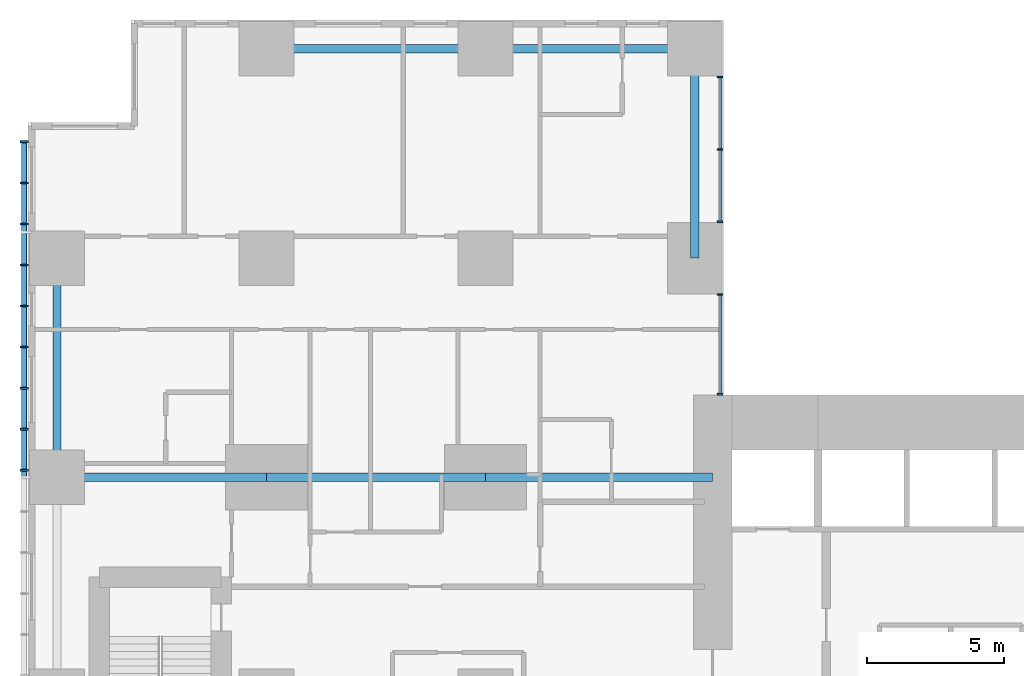
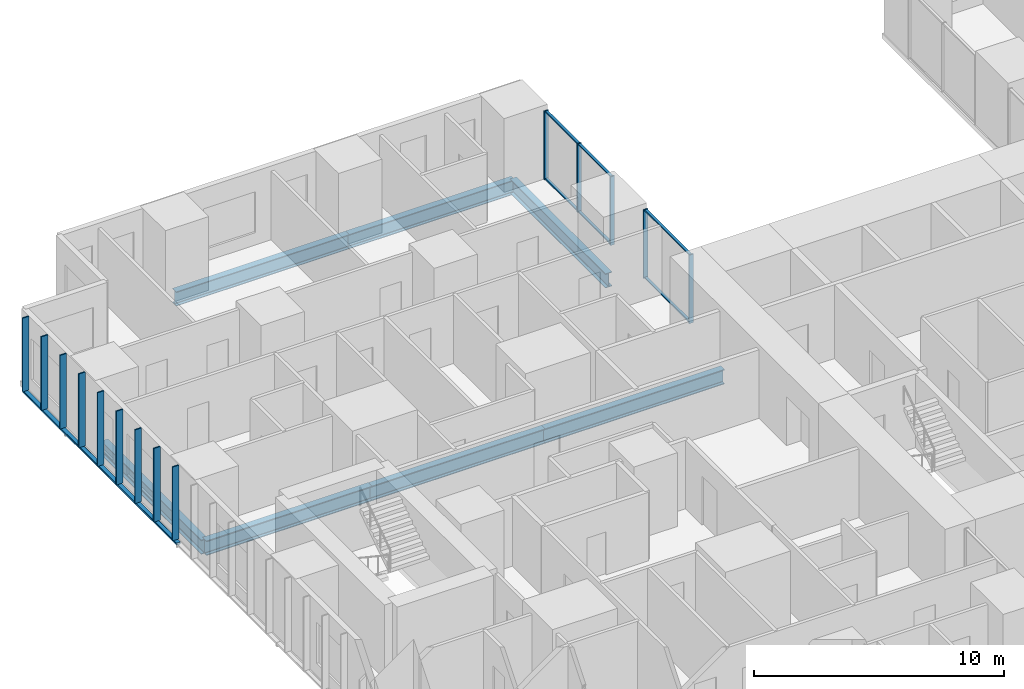
# One storey, part 4 of 20: 21 members, 7 beams, 2 elements without a shape of their own.
"""IFC4 building model written with IfcOpenShell, lengths in metres."""

import ifcopenshell
import ifcopenshell.guid

model = None  # the IFC model being written
_history = None  # IfcOwnerHistory: only IFC2X3 demands one
_inside = {}  # id of a spatial element -> (the spatial element, [elements in it])
_under = {}  # id of a project, library or spatial element -> (it, [spatial elements below it])
_declared = {}  # id of a project -> (the project, [libraries it declares])
_typed = {}  # id of a type object -> (the type object, [elements of that type])
_made_of = {}  # id of a material, layer set ... -> (it, [elements and type objects made of it])


def new_model(schema):
    """Start an empty IFC model of exactly this schema.

    Asked for "IFC4X3", IfcOpenShell would pick the latest addendum, in which some entities
    have other attributes; the version numbers below select the first issue.
    IFC2X3 requires an IfcOwnerHistory on every rooted entity: one is made here for all.
    """
    global model, _history
    if schema == "IFC4X3":
        model = ifcopenshell.file(schema_version=(4, 3, 0, 0))
    else:
        model = ifcopenshell.file(schema=schema)
    _inside.clear()
    _under.clear()
    _declared.clear()
    _typed.clear()
    _made_of.clear()
    _history = None
    if model.schema == "IFC2X3":
        org = make("IfcOrganization", Name="unknown")
        user = make(
            "IfcPersonAndOrganization",
            ThePerson=make("IfcPerson", FamilyName="unknown"),
            TheOrganization=org,
        )
        app = make(
            "IfcApplication",
            ApplicationDeveloper=org,
            Version="unknown",
            ApplicationFullName="unknown",
            ApplicationIdentifier="unknown",
        )
        _history = make(
            "IfcOwnerHistory",
            OwningUser=user,
            OwningApplication=app,
            ChangeAction="ADDED",
            CreationDate=0,
        )
    return model


def make(cls, **values):
    """One entity of the class cls with the attributes given. An attribute that is None is left unset."""
    return model.create_entity(
        cls, **{name: value for name, value in values.items() if value is not None}
    )


def rooted(cls, **values):
    """An entity with a GlobalId (a new one), such as an element, a storey or a relation."""
    return make(cls, GlobalId=ifcopenshell.guid.new(), OwnerHistory=_history, **values)


def si_unit(unit_type, name, prefix=None):
    """IfcSIUnit, for example si_unit("LENGTHUNIT", "METRE", prefix="MILLI")."""
    return make("IfcSIUnit", UnitType=unit_type, Prefix=prefix, Name=name)


def assignment(units):
    """IfcUnitAssignment: the units of a project."""
    return None if units is None else make("IfcUnitAssignment", Units=units)


def point(xyz):
    """IfcCartesianPoint."""
    return None if xyz is None else make("IfcCartesianPoint", Coordinates=xyz)


def direction(xyz):
    """IfcDirection."""
    return None if xyz is None else make("IfcDirection", DirectionRatios=xyz)


def frame(location, z_axis=None, x_axis=None):
    """IfcAxis2Placement3D, a coordinate frame: its origin and axes. An axis left out is left unset."""
    return make(
        "IfcAxis2Placement3D",
        Location=point(location),
        Axis=direction(z_axis),
        RefDirection=direction(x_axis),
    )


def frame_2d(location, x_axis=None):
    """IfcAxis2Placement2D, a coordinate frame in the plane: its origin and x axis."""
    return make(
        "IfcAxis2Placement2D", Location=point(location), RefDirection=direction(x_axis)
    )


def origin():
    """The frame at (0, 0, 0) with its axes left unset."""
    return frame((0.0, 0.0, 0.0))


def origin_2d():
    """The frame at (0, 0) in the plane with its x axis left unset."""
    return frame_2d((0.0, 0.0))


def place(relative_to, where):
    """IfcLocalPlacement: puts the frame where relative to a parent placement (None: the world)."""
    return make(
        "IfcLocalPlacement", PlacementRelTo=relative_to, RelativePlacement=where
    )


def context(
    kind, dimensions, precision=None, world=None, true_north=None, identifier=None
):
    """IfcGeometricRepresentationContext, for example the 3D "Model" context."""
    return make(
        "IfcGeometricRepresentationContext",
        ContextIdentifier=identifier,
        ContextType=kind,
        CoordinateSpaceDimension=dimensions,
        Precision=precision,
        WorldCoordinateSystem=world,
        TrueNorth=true_north,
    )


def subcontext(parent, identifier, kind, view, scale=None):
    """IfcGeometricRepresentationSubContext, for example "Body" below "Model"."""
    return make(
        "IfcGeometricRepresentationSubContext",
        ContextIdentifier=identifier,
        ContextType=kind,
        ParentContext=parent,
        TargetScale=scale,
        TargetView=view,
    )


def project(units=None, contexts=None):
    """IfcProject with its units and contexts."""
    return rooted(
        "IfcProject",
        Name="project",
        RepresentationContexts=contexts,
        UnitsInContext=assignment(units),
    )


def spatial(cls, under=None, at=None, **own):
    """A site, building, storey or space (cls), placed at a placement, below another one or the project."""
    s = rooted(cls, ObjectPlacement=at, **own)
    if under is not None:
        _under.setdefault(under.id(), (under, []))[1].append(s)
    return s


def profile(cls, at=None, kind="AREA", **sizes):
    """A parametric profile (cls). Its sizes go by their IFC names, for example OverallWidth=200.0."""
    return make(cls, ProfileType=kind, Position=at, **sizes)


def rectangle(**sizes):
    """IfcRectangleProfileDef."""
    return profile("IfcRectangleProfileDef", **sizes)


def hollow_rectangle(**sizes):
    """IfcRectangleHollowProfileDef."""
    return profile("IfcRectangleHollowProfileDef", **sizes)


def i_section(**sizes):
    """IfcIShapeProfileDef."""
    return profile("IfcIShapeProfileDef", **sizes)


def extrude(swept, where, along, depth):
    """IfcExtrudedAreaSolid: the profile swept, set in the frame where, extruded along a direction by depth."""
    return make(
        "IfcExtrudedAreaSolid",
        SweptArea=swept,
        Position=where,
        ExtrudedDirection=direction(along),
        Depth=depth,
    )


def shape(context_of_items, identifier, shape_type, items):
    """IfcShapeRepresentation: the items that make up one representation, for example the "Body"."""
    return make(
        "IfcShapeRepresentation",
        ContextOfItems=context_of_items,
        RepresentationIdentifier=identifier,
        RepresentationType=shape_type,
        Items=items,
    )


def material(Name=None, Category=None):
    """IfcMaterial."""
    return make("IfcMaterial", Name=Name, Category=Category)


def layer(
    of_material, thickness, ventilated=None, Name=None, Category=None, Priority=None
):
    """IfcMaterialLayer: one layer of a wall or slab, of a material (None: an air gap)."""
    return make(
        "IfcMaterialLayer",
        Material=of_material,
        LayerThickness=thickness,
        IsVentilated=ventilated,
        Name=Name,
        Category=Category,
        Priority=Priority,
    )


def layer_set(layers, Name=None):
    """IfcMaterialLayerSet."""
    return make("IfcMaterialLayerSet", MaterialLayers=layers, LayerSetName=Name)


def material_profile(
    of_material, cross_section, Name=None, Category=None, Priority=None
):
    """IfcMaterialProfile: a cross section and its material."""
    return make(
        "IfcMaterialProfile",
        Name=Name,
        Material=of_material,
        Profile=cross_section,
        Priority=Priority,
        Category=Category,
    )


def profile_set(profiles, Name=None, composite=None):
    """IfcMaterialProfileSet."""
    return make(
        "IfcMaterialProfileSet",
        Name=Name,
        MaterialProfiles=profiles,
        CompositeProfile=composite,
    )


def made_of(thing, what):
    """Note that an element or type object is made of a material, layer set ...; save() writes the relation."""
    if what is not None:
        _made_of.setdefault(what.id(), (what, []))[1].append(thing)
    return thing


def type_object(cls, material=None, **own):
    """A type object (cls), such as IfcWallType, which elements share."""
    return made_of(rooted(cls, **own), material)


def element(
    cls,
    number,
    at=None,
    inside=None,
    cuts=None,
    type_object=None,
    material=None,
    context=None,
    identifier="Body",
    shape_type=None,
    held_by="IfcProductDefinitionShape",
    body=None,
    shapes=None,
    **own,
):
    """One element of the class cls, such as IfcWall. Its Tag is "e" and its number.

    at: its placement. inside: the storey or other place that contains it. cuts: it is an
    opening in that element (IfcRelVoidsElement). A single representation is given by context,
    identifier, shape_type and body (its items); several are given by shapes. held_by: the class
    of the entity that holds the representations. save() writes the other relations.
    """
    e = rooted(cls, Tag="e%d" % number, ObjectPlacement=at, **own)
    if body is not None:
        shapes = [shape(context, identifier, shape_type, body)]
    if shapes is not None:
        e.Representation = make(held_by, Representations=shapes)
    if inside is not None:
        _inside.setdefault(inside.id(), (inside, []))[1].append(e)
    if cuts is not None:
        rooted(
            "IfcRelVoidsElement", RelatingBuildingElement=cuts, RelatedOpeningElement=e
        )
    if type_object is not None:
        _typed.setdefault(type_object.id(), (type_object, []))[1].append(e)
    return made_of(e, material)


def aggregate(whole, parts):
    """IfcRelAggregates: a whole, such as a stair, and the parts it consists of."""
    return rooted("IfcRelAggregates", RelatingObject=whole, RelatedObjects=parts)


def save(model, path):
    """Write the relations noted so far, then the file.

    IfcRelAggregates (storeys below a building ...), IfcRelContainedInSpatialStructure (elements
    in a storey), IfcRelDefinesByType, IfcRelAssociatesMaterial and IfcRelDeclares: one each for
    every whole, place, type object, material and project.
    """
    for whole, parts in _under.values():
        aggregate(whole, parts)
    for where, things in _inside.values():
        rooted(
            "IfcRelContainedInSpatialStructure",
            RelatedElements=things,
            RelatingStructure=where,
        )
    for kind, things in _typed.values():
        rooted("IfcRelDefinesByType", RelatedObjects=things, RelatingType=kind)
    for what, things in _made_of.values():
        rooted("IfcRelAssociatesMaterial", RelatedObjects=things, RelatingMaterial=what)
    for by, libraries in _declared.values():
        rooted("IfcRelDeclares", RelatingContext=by, RelatedDefinitions=libraries)
    model.write(path)


model = new_model("IFC4")

# Units and contexts
model_context = context("Model", 3, precision=1e-05, world=origin(), true_north=direction((0.0, 1.0)))
body_context = subcontext(model_context, "Body", "Model", "MODEL_VIEW")
ifc_project = project(units=[si_unit("LENGTHUNIT", "METRE"), si_unit("AREAUNIT", "SQUARE_METRE"), si_unit("VOLUMEUNIT", "CUBIC_METRE"), si_unit("PLANEANGLEUNIT", "RADIAN"), si_unit("MASSUNIT", "GRAM", prefix="KILO")], contexts=[model_context])

# Site, building, storey
site_placement = place(None, origin())
site = spatial("IfcSite", under=ifc_project, at=site_placement, CompositionType="ELEMENT")
building_placement = place(site_placement, origin())
building = spatial("IfcBuilding", under=site, at=building_placement, Name="Cleftline Residences", CompositionType="ELEMENT")
storey_placement = place(building_placement, frame((0.0, 0.0, 54.800048828125)))
storey = spatial("IfcBuildingStorey", under=building, at=storey_placement, Name="L13", CompositionType="ELEMENT", Elevation=54.800048828125)

# Member
ifc_material_1 = material(Name="Steel S355, hot-dip galvanised", Category="steel")
ifc_material_profile_1 = material_profile(ifc_material_1, hollow_rectangle(XDim=0.10009765625, YDim=0.199951171875, WallThickness=0.008056640625, InnerFilletRadius=0.008056640625, OuterFilletRadius=0.011962890625, at=origin_2d()))
ifc_profile_set_1 = profile_set([ifc_material_profile_1], Name="Steel S355, hot-dip galvanised")
member_type_1 = type_object("IfcMemberType", Name="BAGUETTE CARRIER RHS 200X100X8", PredefinedType="USERDEFINED", material=ifc_profile_set_1)
member_1_placement = place(storey_placement, frame((-0.85009765625, 44.300048828125, -0.050048828125), z_axis=(0.0, -1.0, 0.0), x_axis=(0.0, 0.0, 1.0)))
element("IfcMember", 1, at=member_1_placement, inside=storey, type_object=member_type_1, Name="Baguette carrier", ObjectType="BAGUETTE CARRIER", PredefinedType="USERDEFINED", context=body_context, shape_type="SweptSolid", body=[
    extrude(hollow_rectangle(XDim=0.10009765625, YDim=0.199951171875, WallThickness=0.008056640625, InnerFilletRadius=0.008056640625, OuterFilletRadius=0.011962890625, at=origin_2d()), origin(), (0.0, 0.0, 1.0), 12.300048828125),
])

# Beams
ifc_material_2 = material(Name="Steel S355", Category="steel")
ifc_material_profile_2 = material_profile(ifc_material_2, i_section(OverallWidth=0.300048828125, OverallDepth=0.699951171875, WebThickness=0.01708984375, FlangeThickness=0.031982421875, FilletRadius=0.027099609375, at=origin_2d()))
ifc_profile_set_2 = profile_set([ifc_material_profile_2], Name="Steel S355")
beam_type_1 = type_object("IfcBeamType", Name="BEAM HEB 700", PredefinedType="BEAM", material=ifc_profile_set_2)
for number, where, z_axis, x_axis, name in (
    (2, (0.35009765625, 32.0, -0.60009765625), (0.0, 1.0, 0.0), (-1.0, 0.0, 0.0), "Edge beam"),
    (3, (8.0, 47.64990234375, -0.60009765625), (1.0, 0.0, 0.0), (0.0, 1.0, 0.0), "Edge beam"),
):
    element("IfcBeam", number, at=place(storey_placement, frame(where, z_axis=z_axis, x_axis=x_axis)), inside=storey, type_object=beam_type_1, Name=name, PredefinedType="BEAM", context=body_context, shape_type="SweptSolid", body=[
        extrude(i_section(OverallWidth=0.300048828125, OverallDepth=0.699951171875, WebThickness=0.01708984375, FlangeThickness=0.031982421875, FilletRadius=0.027099609375, at=origin_2d()), origin(), (0.0, 0.0, 1.0), 8.0),
    ])
for number, where, z_axis, x_axis, name in (
    (4, (16.0, 47.64990234375, -0.60009765625), (1.0, 0.0, 0.0), (0.0, 1.0, 0.0), "Edge beam"),
    (5, (23.64990234375, 47.64990234375, -0.60009765625), (0.0, -1.0, 0.0), (1.0, 0.0, 0.0), "Edge beam"),
):
    element("IfcBeam", number, at=place(storey_placement, frame(where, z_axis=z_axis, x_axis=x_axis)), inside=storey, type_object=beam_type_1, Name=name, PredefinedType="BEAM", context=body_context, shape_type="SweptSolid", body=[
        extrude(i_section(OverallWidth=0.300048828125, OverallDepth=0.699951171875, WebThickness=0.01708984375, FlangeThickness=0.031982421875, FilletRadius=0.027099609375, at=origin_2d()), origin(), (0.0, 0.0, 1.0), 7.64990234375),
    ])
ifc_material_3 = material(Name="Steel S355", Category="steel")
ifc_material_profile_3 = material_profile(ifc_material_3, i_section(OverallWidth=0.303955078125, OverallDepth=0.716064453125, WebThickness=0.02099609375, FlangeThickness=0.0400390625, FilletRadius=0.027099609375, at=origin_2d()))
ifc_profile_set_3 = profile_set([ifc_material_profile_3], Name="Steel S355")
beam_type_2 = type_object("IfcBeamType", Name="BEAM HEM 700", PredefinedType="BEAM", material=ifc_profile_set_3)
beam_1_placement = place(storey_placement, frame((0.35009765625, 32.0, -0.608154296875), z_axis=(1.0, 0.0, 0.0), x_axis=(0.0, 1.0, 0.0)))
element("IfcBeam", 6, at=beam_1_placement, inside=storey, type_object=beam_type_2, Name="Band beam", PredefinedType="BEAM", context=body_context, shape_type="SweptSolid", body=[
    extrude(i_section(OverallWidth=0.303955078125, OverallDepth=0.716064453125, WebThickness=0.02099609375, FlangeThickness=0.0400390625, FilletRadius=0.027099609375, at=origin_2d()), origin(), (0.0, 0.0, 1.0), 7.64990234375),
])
beam_2_placement = place(storey_placement, frame((8.0, 32.0, -0.608154296875), z_axis=(1.0, 0.0, 0.0), x_axis=(0.0, 1.0, 0.0)))
element("IfcBeam", 7, at=beam_2_placement, inside=storey, type_object=beam_type_2, Name="Band beam", PredefinedType="BEAM", context=body_context, shape_type="SweptSolid", body=[
    extrude(i_section(OverallWidth=0.303955078125, OverallDepth=0.716064453125, WebThickness=0.02099609375, FlangeThickness=0.0400390625, FilletRadius=0.027099609375, at=origin_2d()), origin(), (0.0, 0.0, 1.0), 8.0),
])
beam_3_placement = place(storey_placement, frame((16.0, 32.0, -0.608154296875), z_axis=(1.0, 0.0, 0.0), x_axis=(0.0, 1.0, 0.0)))
element("IfcBeam", 8, at=beam_3_placement, inside=storey, type_object=beam_type_2, Name="Band beam", PredefinedType="BEAM", context=body_context, shape_type="SweptSolid", body=[
    extrude(i_section(OverallWidth=0.303955078125, OverallDepth=0.716064453125, WebThickness=0.02099609375, FlangeThickness=0.0400390625, FilletRadius=0.027099609375, at=origin_2d()), origin(), (0.0, 0.0, 1.0), 8.300048828125),
])

# Curtain wall, members
ifc_material_4 = material(Name="Aluminium framed curtain wall", Category="aluminium")
ifc_layer = layer(ifc_material_4, 0.199951171875)
ifc_layer_set = layer_set([ifc_layer], Name="CW1 CLEFT GLAZING")
curtain_wall_type = type_object("IfcCurtainWallType", Name="CW1 CLEFT GLAZING", PredefinedType="NOTDEFINED", material=ifc_layer_set)
curtain_wall_1_placement = place(storey_placement, origin())
curtain_wall_1 = element("IfcCurtainWall", 9, at=curtain_wall_1_placement, inside=storey, type_object=curtain_wall_type, Name="Curtain wall CW1", PredefinedType="NOTDEFINED")
ifc_material_5 = material(Name="Aluminium mullion", Category="aluminium")
ifc_material_profile_4 = material_profile(ifc_material_5, rectangle(XDim=0.199951171875, YDim=0.06005859375, at=origin_2d()))
ifc_profile_set_4 = profile_set([ifc_material_profile_4], Name="Aluminium mullion")
member_type_2 = type_object("IfcMemberType", Name="CW1 MULLION", PredefinedType="MULLION", material=ifc_profile_set_4)
member_2_placement = place(storey_placement, frame((24.574951171875, 35.030029296875, 0.0), z_axis=(0.0, 0.0, 1.0), x_axis=(-1.0, 0.0, 0.0)))
member_2 = element("IfcMember", 10, at=member_2_placement, type_object=member_type_2, Name="CW1 mullion 1", PredefinedType="MULLION", context=body_context, shape_type="SweptSolid", body=[
    extrude(rectangle(XDim=0.199951171875, YDim=0.06005859375, at=origin_2d()), origin(), (0.0, 0.0, 1.0), 3.349853515625),
])
member_3_placement = place(storey_placement, frame((24.574951171875, 38.669921875, 0.0), z_axis=(0.0, 0.0, 1.0), x_axis=(-1.0, 0.0, 0.0)))
member_3 = element("IfcMember", 11, at=member_3_placement, type_object=member_type_2, Name="CW1 mullion 2", PredefinedType="MULLION", context=body_context, shape_type="SweptSolid", body=[
    extrude(rectangle(XDim=0.199951171875, YDim=0.06005859375, at=origin_2d()), origin(), (0.0, 0.0, 1.0), 3.349853515625),
])

curtain_wall_2_placement = place(storey_placement, origin())
curtain_wall_2 = element("IfcCurtainWall", 12, at=curtain_wall_2_placement, inside=storey, type_object=curtain_wall_type, Name="Curtain wall CW1", PredefinedType="NOTDEFINED")
member_4_placement = place(storey_placement, frame((24.574951171875, 41.330078125, 0.0), z_axis=(0.0, 0.0, 1.0), x_axis=(-1.0, 0.0, 0.0)))
member_4 = element("IfcMember", 13, at=member_4_placement, type_object=member_type_2, Name="CW1 mullion 1", PredefinedType="MULLION", context=body_context, shape_type="SweptSolid", body=[
    extrude(rectangle(XDim=0.199951171875, YDim=0.06005859375, at=origin_2d()), origin(), (0.0, 0.0, 1.0), 3.349853515625),
])
member_5_placement = place(storey_placement, frame((24.574951171875, 43.97509765625, 0.0), z_axis=(0.0, 0.0, 1.0), x_axis=(-1.0, 0.0, 0.0)))
member_5 = element("IfcMember", 14, at=member_5_placement, type_object=member_type_2, Name="CW1 mullion 2", PredefinedType="MULLION", context=body_context, shape_type="SweptSolid", body=[
    extrude(rectangle(XDim=0.199951171875, YDim=0.06005859375, at=origin_2d()), origin(), (0.0, 0.0, 1.0), 3.349853515625),
])
member_6_placement = place(storey_placement, frame((24.574951171875, 46.6201171875, 0.0), z_axis=(0.0, 0.0, 1.0), x_axis=(-1.0, 0.0, 0.0)))
member_6 = element("IfcMember", 15, at=member_6_placement, type_object=member_type_2, Name="CW1 mullion 3", PredefinedType="MULLION", context=body_context, shape_type="SweptSolid", body=[
    extrude(rectangle(XDim=0.199951171875, YDim=0.06005859375, at=origin_2d()), origin(), (0.0, 0.0, 1.0), 3.349853515625),
])

# Member
ifc_material_6 = material(Name="Aluminium transom", Category="aluminium")
ifc_material_profile_5 = material_profile(ifc_material_6, rectangle(XDim=0.1201171875, YDim=0.06005859375, at=origin_2d()))
ifc_profile_set_5 = profile_set([ifc_material_profile_5], Name="Aluminium transom")
member_type_3 = type_object("IfcMemberType", Name="CW1 TRANSOM", PredefinedType="USERDEFINED", material=ifc_profile_set_5)
member_7_placement = place(storey_placement, frame((24.574951171875, 35.06005859375, 0.030029296875), z_axis=(0.0, 1.0, 0.0), x_axis=(-1.0, 0.0, 0.0)))
member_7 = element("IfcMember", 16, at=member_7_placement, type_object=member_type_3, Name="CW1 transom 1.1", ObjectType="TRANSOM", PredefinedType="USERDEFINED", context=body_context, shape_type="SweptSolid", body=[
    extrude(rectangle(XDim=0.1201171875, YDim=0.06005859375, at=origin_2d()), origin(), (0.0, 0.0, 1.0), 3.579833984375),
])

member_8_placement = place(storey_placement, frame((24.574951171875, 35.06005859375, 3.320068359375), z_axis=(0.0, 1.0, 0.0), x_axis=(-1.0, 0.0, 0.0)))
member_8 = element("IfcMember", 17, at=member_8_placement, type_object=member_type_3, Name="CW1 transom 1.2", ObjectType="TRANSOM", PredefinedType="USERDEFINED", context=body_context, shape_type="SweptSolid", body=[
    extrude(rectangle(XDim=0.1201171875, YDim=0.06005859375, at=origin_2d()), origin(), (0.0, 0.0, 1.0), 3.579833984375),
])

aggregate(curtain_wall_1, [member_2, member_3, member_7, member_8])

member_9_placement = place(storey_placement, frame((24.574951171875, 41.360107421875, 0.030029296875), z_axis=(0.0, 1.0, 0.0), x_axis=(-1.0, 0.0, 0.0)))
member_9 = element("IfcMember", 18, at=member_9_placement, type_object=member_type_3, Name="CW1 transom 1.1", ObjectType="TRANSOM", PredefinedType="USERDEFINED", context=body_context, shape_type="SweptSolid", body=[
    extrude(rectangle(XDim=0.1201171875, YDim=0.06005859375, at=origin_2d()), origin(), (0.0, 0.0, 1.0), 2.5849609375),
])

member_10_placement = place(storey_placement, frame((24.574951171875, 41.360107421875, 3.320068359375), z_axis=(0.0, 1.0, 0.0), x_axis=(-1.0, 0.0, 0.0)))
member_10 = element("IfcMember", 19, at=member_10_placement, type_object=member_type_3, Name="CW1 transom 1.2", ObjectType="TRANSOM", PredefinedType="USERDEFINED", context=body_context, shape_type="SweptSolid", body=[
    extrude(rectangle(XDim=0.1201171875, YDim=0.06005859375, at=origin_2d()), origin(), (0.0, 0.0, 1.0), 2.5849609375),
])

member_11_placement = place(storey_placement, frame((24.574951171875, 44.0048828125, 0.030029296875), z_axis=(0.0, 1.0, 0.0), x_axis=(-1.0, 0.0, 0.0)))
member_11 = element("IfcMember", 20, at=member_11_placement, type_object=member_type_3, Name="CW1 transom 2.1", ObjectType="TRANSOM", PredefinedType="USERDEFINED", context=body_context, shape_type="SweptSolid", body=[
    extrude(rectangle(XDim=0.1201171875, YDim=0.06005859375, at=origin_2d()), origin(), (0.0, 0.0, 1.0), 2.585205078125),
])

member_12_placement = place(storey_placement, frame((24.574951171875, 44.0048828125, 3.320068359375), z_axis=(0.0, 1.0, 0.0), x_axis=(-1.0, 0.0, 0.0)))
member_12 = element("IfcMember", 21, at=member_12_placement, type_object=member_type_3, Name="CW1 transom 2.2", ObjectType="TRANSOM", PredefinedType="USERDEFINED", context=body_context, shape_type="SweptSolid", body=[
    extrude(rectangle(XDim=0.1201171875, YDim=0.06005859375, at=origin_2d()), origin(), (0.0, 0.0, 1.0), 2.585205078125),
])

aggregate(curtain_wall_2, [member_4, member_5, member_6, member_9, member_10, member_11, member_12])

# Members
ifc_material_7 = material(Name="Extruded terracotta", Category="masonry")
ifc_material_profile_6 = material_profile(ifc_material_7, rectangle(XDim=0.06005859375, YDim=0.300048828125, at=origin_2d()))
ifc_profile_set_6 = profile_set([ifc_material_profile_6], Name="Extruded terracotta")
member_type_4 = type_object("IfcMemberType", Name="TERRACOTTA BAGUETTE 60X300", PredefinedType="USERDEFINED", material=ifc_profile_set_6)
for number, where, z_axis, x_axis, name in (
    (22, (-0.85009765625, 44.25, 0.0), (0.0, 0.0, 1.0), (0.0, 1.0, 0.0), "Terracotta baguette"),
    (23, (-0.85009765625, 42.75, 0.0), (0.0, 0.0, 1.0), (0.0, 1.0, 0.0), "Terracotta baguette"),
    (24, (-0.85009765625, 41.25, 0.0), (0.0, 0.0, 1.0), (0.0, 1.0, 0.0), "Terracotta baguette"),
    (25, (-0.85009765625, 39.75, 0.0), (0.0, 0.0, 1.0), (0.0, 1.0, 0.0), "Terracotta baguette"),
    (26, (-0.85009765625, 38.25, 0.0), (0.0, 0.0, 1.0), (0.0, 1.0, 0.0), "Terracotta baguette"),
    (27, (-0.85009765625, 36.75, 0.0), (0.0, 0.0, 1.0), (0.0, 1.0, 0.0), "Terracotta baguette"),
    (28, (-0.85009765625, 35.25, 0.0), (0.0, 0.0, 1.0), (0.0, 1.0, 0.0), "Terracotta baguette"),
    (29, (-0.85009765625, 33.75, 0.0), (0.0, 0.0, 1.0), (0.0, 1.0, 0.0), "Terracotta baguette"),
    (30, (-0.85009765625, 32.25, 0.0), (0.0, 0.0, 1.0), (0.0, 1.0, 0.0), "Terracotta baguette"),
):
    element("IfcMember", number, at=place(storey_placement, frame(where, z_axis=z_axis, x_axis=x_axis)), inside=storey, type_object=member_type_4, Name=name, ObjectType="BAGUETTE", PredefinedType="USERDEFINED", context=body_context, shape_type="SweptSolid", body=[
        extrude(rectangle(XDim=0.06005859375, YDim=0.300048828125, at=origin_2d()), origin(), (0.0, 0.0, 1.0), 3.599853515625),
    ])

save(model, "model.ifc")
